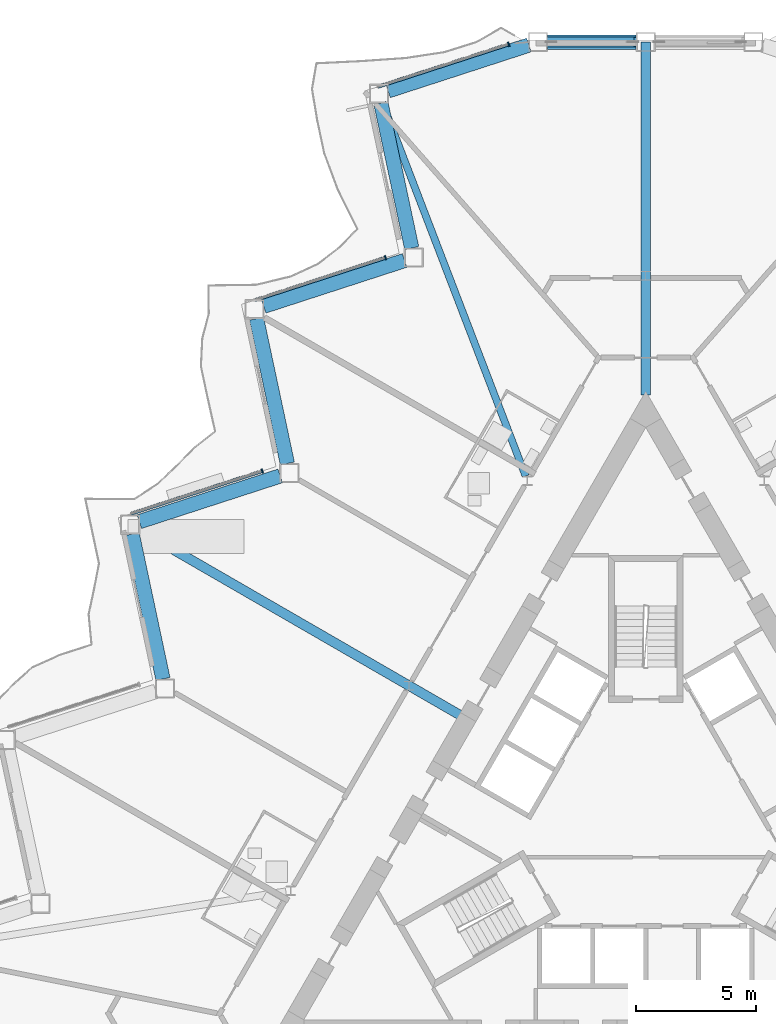
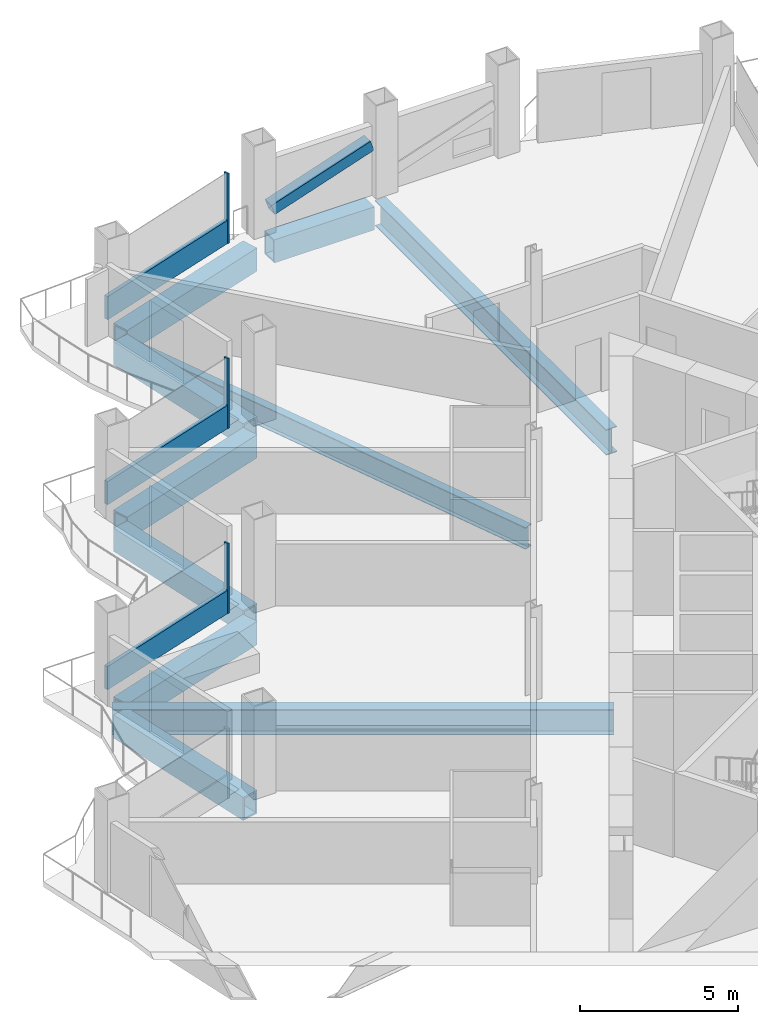
# One storey, part 7 of 23: 9 members, 8 beams, 3 elements without a shape of their own.
"""IFC4 building model written with IfcOpenShell, lengths in metres."""

from ifc_helpers import new_model, si_unit, direction, frame, origin, origin_2d, place, context, subcontext, project, spatial, rectangle, hollow_rectangle, i_section, extrude, material, layer, layer_set, material_profile, profile_set, type_object, element, aggregate, save


model = new_model("IFC4")

# Units and contexts
model_context = context("Model", 3, precision=1e-05, world=origin(), true_north=direction((0.0, 1.0)))
body_context = subcontext(model_context, "Body", "Model", "MODEL_VIEW")
ifc_project = project(units=[si_unit("LENGTHUNIT", "METRE"), si_unit("AREAUNIT", "SQUARE_METRE"), si_unit("VOLUMEUNIT", "CUBIC_METRE"), si_unit("PLANEANGLEUNIT", "RADIAN"), si_unit("MASSUNIT", "GRAM", prefix="KILO")], contexts=[model_context])

# Site, building, storey
site_placement = place(None, origin())
site = spatial("IfcSite", under=ifc_project, at=site_placement, CompositionType="ELEMENT")
building_placement = place(site_placement, origin())
building = spatial("IfcBuilding", under=site, at=building_placement, Name="Cormorant Prow Tower", CompositionType="ELEMENT")
storey_placement = place(building_placement, frame((0.0, 0.0, 169.199951171875)))
storey = spatial("IfcBuildingStorey", under=building, at=storey_placement, Name="L35", CompositionType="ELEMENT", Elevation=169.199951171875)

# Beams
ifc_material_1 = material(Name="Structural steel ASTM A572 Gr 50", Category="steel")
ifc_material_profile_1 = material_profile(ifc_material_1, hollow_rectangle(XDim=0.60009765625, YDim=0.89990234375, WallThickness=0.06005859375, at=origin_2d()), Name="Box 900x600x60")
ifc_profile_set_1 = profile_set([ifc_material_profile_1], Name="Structural steel ASTM A572 Gr 50")
beam_type_1 = type_object("IfcBeamType", Name="Belt truss top chord 900x600x60", PredefinedType="BEAM", material=ifc_profile_set_1)
beam_1_placement = place(storey_placement, frame((-0.39990234375, 32.3994140625, -0.800048828125), z_axis=(-1.0, 0.0, 0.0), x_axis=(0.0, -1.0, 0.0)))
element("IfcBeam", 1, at=beam_1_placement, inside=storey, type_object=beam_type_1, Name="Belt truss top chord TC2 N01-WNW00 L35", PredefinedType="BEAM", context=body_context, shape_type="SweptSolid", body=[
    extrude(hollow_rectangle(XDim=0.60009765625, YDim=0.89990234375, WallThickness=0.06005859375, at=origin_2d()), origin(), (0.0, 0.0, 1.0), 3.67041015625),
])
beam_2_placement = place(storey_placement, frame((-4.850830078125, 32.27587890625, -0.800048828125), z_axis=(-0.951057696564, -0.309013361859, 0.0), x_axis=(0.309013361859, -0.951057696564, 0.0)))
element("IfcBeam", 2, at=beam_2_placement, inside=storey, type_object=beam_type_1, Name="Belt truss top chord TC2 WNW00-WNW01 L35", PredefinedType="BEAM", context=body_context, shape_type="SweptSolid", body=[
    extrude(hollow_rectangle(XDim=0.60009765625, YDim=0.89990234375, WallThickness=0.06005859375, at=origin_2d()), origin(), (0.0, 0.0, 1.0), 6.14990234375),
])
beam_3_placement = place(storey_placement, frame((-10.996826171875, 29.860595703125, -0.800048828125), z_axis=(0.207904811195, -0.978149063018, 0.0), x_axis=(0.978149063018, 0.207904811195, 0.0)))
element("IfcBeam", 3, at=beam_3_placement, inside=storey, type_object=beam_type_1, Name="Belt truss top chord TC2 WNW01-WNW02 L35", PredefinedType="BEAM", context=body_context, shape_type="SweptSolid", body=[
    extrude(hollow_rectangle(XDim=0.60009765625, YDim=0.89990234375, WallThickness=0.06005859375, at=origin_2d()), origin(), (0.0, 0.0, 1.0), 6.149658203125),
])
beam_4_placement = place(storey_placement, frame((-10.015625, 23.330322265625, -0.800048828125), z_axis=(-0.951057696564, -0.309013361859, 0.0), x_axis=(0.309013361859, -0.951057696564, 0.0)))
element("IfcBeam", 4, at=beam_4_placement, inside=storey, type_object=beam_type_1, Name="Belt truss top chord TC2 WNW02-WNW03 L35", PredefinedType="BEAM", context=body_context, shape_type="SweptSolid", body=[
    extrude(hollow_rectangle(XDim=0.60009765625, YDim=0.89990234375, WallThickness=0.06005859375, at=origin_2d()), origin(), (0.0, 0.0, 1.0), 6.14990234375),
])
beam_5_placement = place(storey_placement, frame((-16.16162109375, 20.9150390625, -0.800048828125), z_axis=(0.207904811195, -0.978149063018, 0.0), x_axis=(0.978149063018, 0.207904811195, 0.0)))
element("IfcBeam", 5, at=beam_5_placement, inside=storey, type_object=beam_type_1, Name="Belt truss top chord TC2 WNW03-WNW04 L35", PredefinedType="BEAM", context=body_context, shape_type="SweptSolid", body=[
    extrude(hollow_rectangle(XDim=0.60009765625, YDim=0.89990234375, WallThickness=0.06005859375, at=origin_2d()), origin(), (0.0, 0.0, 1.0), 6.149658203125),
])
beam_6_placement = place(storey_placement, frame((-15.18017578125, 14.384765625, -0.800048828125), z_axis=(-0.951057696564, -0.309013361859, 0.0), x_axis=(0.309013361859, -0.951057696564, 0.0)))
element("IfcBeam", 6, at=beam_6_placement, inside=storey, type_object=beam_type_1, Name="Belt truss top chord TC2 WNW04-WNW05 L35", PredefinedType="BEAM", context=body_context, shape_type="SweptSolid", body=[
    extrude(hollow_rectangle(XDim=0.60009765625, YDim=0.89990234375, WallThickness=0.06005859375, at=origin_2d()), origin(), (0.0, 0.0, 1.0), 6.14990234375),
])
beam_7_placement = place(storey_placement, frame((-21.326416015625, 11.969482421875, -0.800048828125), z_axis=(0.207904811195, -0.978149063018, 0.0), x_axis=(0.978149063018, 0.207904811195, 0.0)))
element("IfcBeam", 7, at=beam_7_placement, inside=storey, type_object=beam_type_1, Name="Belt truss top chord TC2 WNW05-WNW06 L35", PredefinedType="BEAM", context=body_context, shape_type="SweptSolid", body=[
    extrude(hollow_rectangle(XDim=0.60009765625, YDim=0.89990234375, WallThickness=0.06005859375, at=origin_2d()), origin(), (0.0, 0.0, 1.0), 6.149658203125),
])

# Member
ifc_material_2 = material(Name="Structural steel ASTM A500 Gr C", Category="steel")
ifc_material_profile_2 = material_profile(ifc_material_2, hollow_rectangle(XDim=0.406494140625, YDim=0.406494140625, WallThickness=0.01171875, at=origin_2d()), Name="HSS16x16x1/2")
ifc_profile_set_2 = profile_set([ifc_material_profile_2], Name="Structural steel ASTM A500 Gr C")
member_type_1 = type_object("IfcMemberType", Name="Chamfer brace HSS16x16x1/2", PredefinedType="BRACE", material=ifc_profile_set_2)
member_1_placement = place(storey_placement, frame((-4.05322265625, 32.3994140625, 0.739990234375), z_axis=(0.947980792039, 0.0, 0.318327532464), x_axis=(0.0, 1.0, 0.0)))
element("IfcMember", 8, at=member_1_placement, inside=storey, type_object=member_type_1, Name="Chamfer brace BR2 at N01 L35", PredefinedType="BRACE", context=body_context, shape_type="SweptSolid", body=[
    extrude(hollow_rectangle(XDim=0.406494140625, YDim=0.406494140625, WallThickness=0.01171875, at=origin_2d()), origin(), (0.0, 0.0, 1.0), 3.83544921875),
])

# Curtain wall, member
ifc_material_3 = material(Name="Aluminium 6063-T6", Category="aluminium")
ifc_layer = layer(ifc_material_3, 0.179931640625)
ifc_layer_set = layer_set([ifc_layer], Name="Aluminium 6063-T6")
curtain_wall_type = type_object("IfcCurtainWallType", Name="Hotel unitised curtain wall 180", PredefinedType="NOTDEFINED", material=ifc_layer_set)
curtain_wall_1_placement = place(storey_placement, origin())
curtain_wall_1 = element("IfcCurtainWall", 9, at=curtain_wall_1_placement, inside=storey, type_object=curtain_wall_type, Name="Hotel curtain wall WNW00", PredefinedType="NOTDEFINED")
ifc_material_4 = material(Name="Aluminium 6063-T6", Category="aluminium")
ifc_material_profile_3 = material_profile(ifc_material_4, rectangle(XDim=0.179931640625, YDim=0.06005859375, at=origin_2d()), Name="Hotel mullion 60x180")
ifc_profile_set_3 = profile_set([ifc_material_profile_3], Name="Aluminium 6063-T6")
member_type_2 = type_object("IfcMemberType", Name="Hotel mullion 60x180", PredefinedType="MULLION", material=ifc_profile_set_3)
member_2_placement = place(storey_placement, frame((-5.692626953125, 32.30908203125, 0.0), z_axis=(0.0, 0.0, 1.0), x_axis=(0.309017069121, -0.951056492009, 0.0)))
member_2 = element("IfcMember", 10, at=member_2_placement, type_object=member_type_2, Name="Hotel mullion WNW00", PredefinedType="MULLION", context=body_context, shape_type="SweptSolid", body=[
    extrude(rectangle(XDim=0.179931640625, YDim=0.06005859375, at=origin_2d()), origin(), (0.0, 0.0, 1.0), 2.700927734375),
])

curtain_wall_2_placement = place(storey_placement, origin())
curtain_wall_2 = element("IfcCurtainWall", 11, at=curtain_wall_2_placement, inside=storey, type_object=curtain_wall_type, Name="Hotel curtain wall WNW02", PredefinedType="NOTDEFINED")
member_3_placement = place(storey_placement, frame((-10.808349609375, 23.448486328125, 0.0), z_axis=(0.0, 0.0, 1.0), x_axis=(0.309017069121, -0.951056492009, 0.0)))
member_3 = element("IfcMember", 12, at=member_3_placement, type_object=member_type_2, Name="Hotel mullion WNW02", PredefinedType="MULLION", context=body_context, shape_type="SweptSolid", body=[
    extrude(rectangle(XDim=0.179931640625, YDim=0.06005859375, at=origin_2d()), origin(), (0.0, 0.0, 1.0), 2.700927734375),
])

curtain_wall_3_placement = place(storey_placement, origin())
curtain_wall_3 = element("IfcCurtainWall", 13, at=curtain_wall_3_placement, inside=storey, type_object=curtain_wall_type, Name="Hotel curtain wall WNW04", PredefinedType="NOTDEFINED")
member_4_placement = place(storey_placement, frame((-15.924072265625, 14.587646484375, 0.0), z_axis=(0.0, 0.0, 1.0), x_axis=(0.309016937722, -0.951056534703, 0.0)))
member_4 = element("IfcMember", 14, at=member_4_placement, type_object=member_type_2, Name="Hotel mullion WNW04", PredefinedType="MULLION", context=body_context, shape_type="SweptSolid", body=[
    extrude(rectangle(XDim=0.179931640625, YDim=0.06005859375, at=origin_2d()), origin(), (0.0, 0.0, 1.0), 2.700927734375),
])

# Member
ifc_material_5 = material(Name="Terracotta", Category="masonry")
ifc_material_profile_4 = material_profile(ifc_material_5, rectangle(XDim=0.139892578125, YDim=0.89990234375, at=origin_2d()), Name="Hotel terracotta spandrel rail 140x900")
ifc_profile_set_4 = profile_set([ifc_material_profile_4], Name="Terracotta")
member_type_3 = type_object("IfcMemberType", Name="Hotel terracotta spandrel rail 140x900", PredefinedType="USERDEFINED", material=ifc_profile_set_4)
member_5_placement = place(storey_placement, frame((-5.72119140625, 32.2998046875, 0.449951171875), z_axis=(-0.951059615859, -0.309007454735, 0.0), x_axis=(0.309007454735, -0.951059615859, 0.0)))
member_5 = element("IfcMember", 15, at=member_5_placement, type_object=member_type_3, Name="Hotel spandrel rail WNW00", ObjectType="TRANSOM", PredefinedType="USERDEFINED", context=body_context, shape_type="SweptSolid", body=[
    extrude(rectangle(XDim=0.139892578125, YDim=0.89990234375, at=origin_2d()), origin(), (0.0, 0.0, 1.0), 5.687744140625),
])

aggregate(curtain_wall_1, [member_2, member_5])

member_6_placement = place(storey_placement, frame((-10.8369140625, 23.439208984375, 0.449951171875), z_axis=(-0.951047000634, -0.309046279034, 0.0), x_axis=(0.309046279034, -0.951047000634, 0.0)))
member_6 = element("IfcMember", 16, at=member_6_placement, type_object=member_type_3, Name="Hotel spandrel rail WNW02", ObjectType="TRANSOM", PredefinedType="USERDEFINED", context=body_context, shape_type="SweptSolid", body=[
    extrude(rectangle(XDim=0.139892578125, YDim=0.89990234375, at=origin_2d()), origin(), (0.0, 0.0, 1.0), 5.687744140625),
])

aggregate(curtain_wall_2, [member_3, member_6])

member_7_placement = place(storey_placement, frame((-15.95263671875, 14.578369140625, 0.449951171875), z_axis=(-0.951059615859, -0.309007454735, 0.0), x_axis=(0.309007454735, -0.951059615859, 0.0)))
member_7 = element("IfcMember", 17, at=member_7_placement, type_object=member_type_3, Name="Hotel spandrel rail WNW04", ObjectType="TRANSOM", PredefinedType="USERDEFINED", context=body_context, shape_type="SweptSolid", body=[
    extrude(rectangle(XDim=0.139892578125, YDim=0.89990234375, at=origin_2d()), origin(), (0.0, 0.0, 1.0), 5.687744140625),
])

aggregate(curtain_wall_3, [member_4, member_7])

# Members
ifc_material_6 = material(Name="Structural steel ASTM A992 Gr 50", Category="steel")
ifc_material_profile_5 = material_profile(ifc_material_6, i_section(OverallWidth=0.39990234375, OverallDepth=1.000244140625, WebThickness=0.01904296875, FlangeThickness=0.0361328125, at=origin_2d()), Name="W40x249")
ifc_profile_set_5 = profile_set([ifc_material_profile_5], Name="Structural steel ASTM A992 Gr 50")
member_type_4 = type_object("IfcMemberType", Name="Outrigger chord W40x249", PredefinedType="CHORD", material=ifc_profile_set_5)
member_8_placement = place(storey_placement, frame((0.0, 17.747802734375, -0.85009765625), z_axis=(0.0, 1.0, 0.0), x_axis=(-1.0, 0.0, 0.0)))
element("IfcMember", 18, at=member_8_placement, inside=storey, type_object=member_type_4, Name="Outrigger top chord 1 L35", PredefinedType="CHORD", context=body_context, shape_type="SweptSolid", body=[
    extrude(i_section(OverallWidth=0.39990234375, OverallDepth=1.000244140625, WebThickness=0.01904296875, FlangeThickness=0.0361328125, at=origin_2d()), origin(), (0.0, 0.0, 1.0), 14.651611328125),
])
member_9_placement = place(storey_placement, frame((-7.6201171875, 4.3994140625, -0.85009765625), z_axis=(-0.866020892659, 0.500007813417, 0.0), x_axis=(-0.500007813417, -0.866020892659, 0.0)))
element("IfcMember", 19, at=member_9_placement, inside=storey, type_object=member_type_4, Name="Outrigger top chord 2 L35", PredefinedType="CHORD", context=body_context, shape_type="SweptSolid", body=[
    extrude(i_section(OverallWidth=0.39990234375, OverallDepth=1.000244140625, WebThickness=0.01904296875, FlangeThickness=0.0361328125, at=origin_2d()), origin(), (0.0, 0.0, 1.0), 15.922607421875),
])

# Beam
ifc_material_7 = material(Name="Structural steel ASTM A992 Gr 50", Category="steel")
ifc_material_profile_6 = material_profile(ifc_material_7, i_section(OverallWidth=0.29296875, OverallDepth=0.845703125, WebThickness=0.015380859375, FlangeThickness=0.0244140625, at=origin_2d()), Name="W33x141")
ifc_profile_set_6 = profile_set([ifc_material_profile_6], Name="Structural steel ASTM A992 Gr 50")
beam_type_2 = type_object("IfcBeamType", Name="Radial floor beam W33x141", PredefinedType="BEAM", material=ifc_profile_set_6)
beam_8_placement = place(storey_placement, frame((-4.9873046875, 14.376220703125, -0.77294921875), z_axis=(-0.358301123829, 0.933606075742, 0.0), x_axis=(-0.933606075742, -0.358301123829, 0.0)))
element("IfcBeam", 20, at=beam_8_placement, inside=storey, type_object=beam_type_2, Name="Radial floor beam FB2 2 L35", PredefinedType="BEAM", context=body_context, shape_type="SweptSolid", body=[
    extrude(i_section(OverallWidth=0.29296875, OverallDepth=0.845703125, WebThickness=0.015380859375, FlangeThickness=0.0244140625, at=origin_2d()), origin(), (0.0, 0.0, 1.0), 16.604736328125),
])

save(model, "model.ifc")
